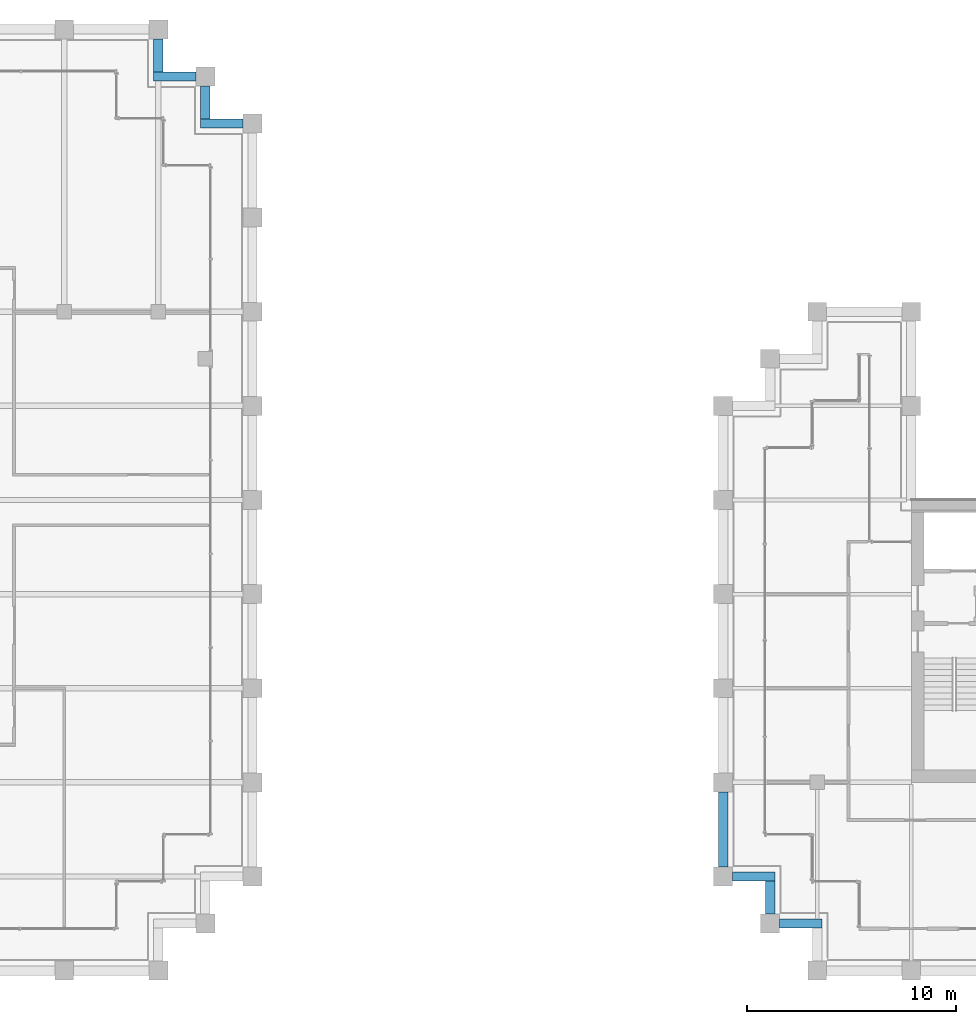
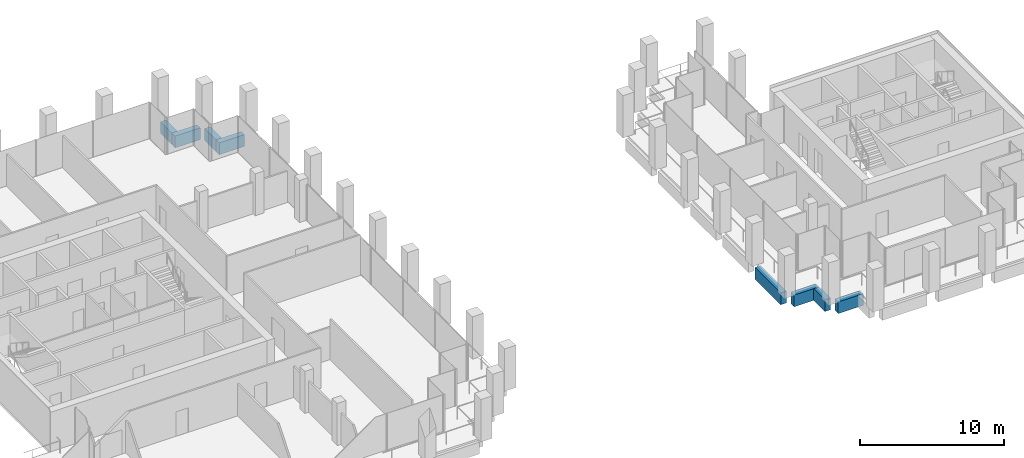
# One storey, part 27 of 40: 8 beams.
"""IFC4 building model written with IfcOpenShell, lengths in metres."""

from ifc_helpers import new_model, si_unit, direction, frame, origin, origin_2d, place, context, subcontext, project, spatial, rectangle, extrude, material, material_profile, profile_set, type_object, element, save


model = new_model("IFC4")

# Units and contexts
model_context = context("Model", 3, precision=1e-05, world=origin(), true_north=direction((0.0, 1.0)))
body_context = subcontext(model_context, "Body", "Model", "MODEL_VIEW")
ifc_project = project(units=[si_unit("LENGTHUNIT", "METRE"), si_unit("AREAUNIT", "SQUARE_METRE"), si_unit("VOLUMEUNIT", "CUBIC_METRE"), si_unit("PLANEANGLEUNIT", "RADIAN"), si_unit("MASSUNIT", "GRAM", prefix="KILO")], contexts=[model_context])

# Site, building, storey
site_placement = place(None, origin())
site = spatial("IfcSite", under=ifc_project, at=site_placement, CompositionType="ELEMENT")
building_placement = place(site_placement, origin())
building = spatial("IfcBuilding", under=site, at=building_placement, Name="Altepetl Exchange Towers", CompositionType="ELEMENT")
storey_placement = place(building_placement, frame((0.0, 0.0, 172.60009765625)))
storey = spatial("IfcBuildingStorey", under=building, at=storey_placement, Name="L43", CompositionType="ELEMENT", Elevation=172.60009765625)

# Beams
ifc_material_1 = material(Name="Concrete C50/60 precast with cantera rosa facing", Category="concrete")
ifc_material_profile_1 = material_profile(ifc_material_1, rectangle(XDim=0.449951171875, YDim=1.0, at=origin_2d()), Name="450 x 1000")
ifc_profile_set_1 = profile_set([ifc_material_profile_1], Name="Concrete C50/60 precast with cantera rosa facing")
beam_type_1 = type_object("IfcBeamType", Name="Spandrel beam 450x1000 cantera rosa", PredefinedType="SPANDREL", material=ifc_profile_set_1)
beam_1_placement = place(storey_placement, frame((71.550048828125, 67.5, -0.650146484375), z_axis=(-1.0, 0.0, 0.0), x_axis=(0.0, -1.0, 0.0)))
element("IfcBeam", 1, at=beam_1_placement, inside=storey, type_object=beam_type_1, Name="sp:A:L43:020", PredefinedType="SPANDREL", context=body_context, shape_type="SweptSolid", body=[
    extrude(rectangle(XDim=0.449951171875, YDim=1.0, at=origin_2d()), origin(), (0.0, 0.0, 1.0), 2.025146484375),
])
beam_2_placement = place(storey_placement, frame((69.75, 67.72509765625, -0.650146484375), z_axis=(0.0, 1.0, 0.0), x_axis=(-1.0, 0.0, 0.0)))
element("IfcBeam", 2, at=beam_2_placement, inside=storey, type_object=beam_type_1, Name="sp:A:L43:021", PredefinedType="SPANDREL", context=body_context, shape_type="SweptSolid", body=[
    extrude(rectangle(XDim=0.449951171875, YDim=1.0, at=origin_2d()), origin(), (0.0, 0.0, 1.0), 1.574951171875),
])
beam_3_placement = place(storey_placement, frame((69.300048828125, 69.75, -0.650146484375), z_axis=(-1.0, 0.0, 0.0), x_axis=(0.0, -1.0, 0.0)))
element("IfcBeam", 3, at=beam_3_placement, inside=storey, type_object=beam_type_1, Name="sp:A:L43:022", PredefinedType="SPANDREL", context=body_context, shape_type="SweptSolid", body=[
    extrude(rectangle(XDim=0.449951171875, YDim=1.0, at=origin_2d()), origin(), (0.0, 0.0, 1.0), 2.025146484375),
])
beam_4_placement = place(storey_placement, frame((67.5, 69.97509765625, -0.650146484375), z_axis=(0.0, 1.0, 0.0), x_axis=(-1.0, 0.0, 0.0)))
element("IfcBeam", 4, at=beam_4_placement, inside=storey, type_object=beam_type_1, Name="sp:A:L43:023", PredefinedType="SPANDREL", context=body_context, shape_type="SweptSolid", body=[
    extrude(rectangle(XDim=0.449951171875, YDim=1.0, at=origin_2d()), origin(), (0.0, 0.0, 1.0), 1.574951171875),
])
ifc_material_2 = material(Name="Concrete C50/60 precast with tezontle facing", Category="concrete")
ifc_material_profile_2 = material_profile(ifc_material_2, rectangle(XDim=0.449951171875, YDim=1.0, at=origin_2d()), Name="450 x 1000")
ifc_profile_set_2 = profile_set([ifc_material_profile_2], Name="Concrete C50/60 precast with tezontle facing")
beam_type_2 = type_object("IfcBeamType", Name="Spandrel beam 450x1000 tezontle", PredefinedType="SPANDREL", material=ifc_profile_set_2)
beam_5_placement = place(storey_placement, frame((94.5, 35.550048828125, -0.650146484375), z_axis=(0.0, -1.0, 0.0), x_axis=(1.0, 0.0, 0.0)))
element("IfcBeam", 5, at=beam_5_placement, inside=storey, type_object=beam_type_2, Name="sp:B:L43:019", PredefinedType="SPANDREL", context=body_context, shape_type="SweptSolid", body=[
    extrude(rectangle(XDim=0.449951171875, YDim=1.0, at=origin_2d()), origin(), (0.0, 0.0, 1.0), 3.60009765625),
])
beam_6_placement = place(storey_placement, frame((94.949951171875, 31.5, -0.650146484375), z_axis=(1.0, 0.0, 0.0), x_axis=(0.0, 1.0, 0.0)))
element("IfcBeam", 6, at=beam_6_placement, inside=storey, type_object=beam_type_2, Name="sp:B:L43:020", PredefinedType="SPANDREL", context=body_context, shape_type="SweptSolid", body=[
    extrude(rectangle(XDim=0.449951171875, YDim=1.0, at=origin_2d()), origin(), (0.0, 0.0, 1.0), 2.025146484375),
])
beam_7_placement = place(storey_placement, frame((96.75, 31.27490234375, -0.650146484375), z_axis=(0.0, -1.0, 0.0), x_axis=(1.0, 0.0, 0.0)))
element("IfcBeam", 7, at=beam_7_placement, inside=storey, type_object=beam_type_2, Name="sp:B:L43:021", PredefinedType="SPANDREL", context=body_context, shape_type="SweptSolid", body=[
    extrude(rectangle(XDim=0.449951171875, YDim=1.0, at=origin_2d()), origin(), (0.0, 0.0, 1.0), 1.574951171875),
])
beam_8_placement = place(storey_placement, frame((97.199951171875, 29.25, -0.650146484375), z_axis=(1.0, 0.0, 0.0), x_axis=(0.0, 1.0, 0.0)))
element("IfcBeam", 8, at=beam_8_placement, inside=storey, type_object=beam_type_2, Name="sp:B:L43:022", PredefinedType="SPANDREL", context=body_context, shape_type="SweptSolid", body=[
    extrude(rectangle(XDim=0.449951171875, YDim=1.0, at=origin_2d()), origin(), (0.0, 0.0, 1.0), 2.025146484375),
])

save(model, "model.ifc")
